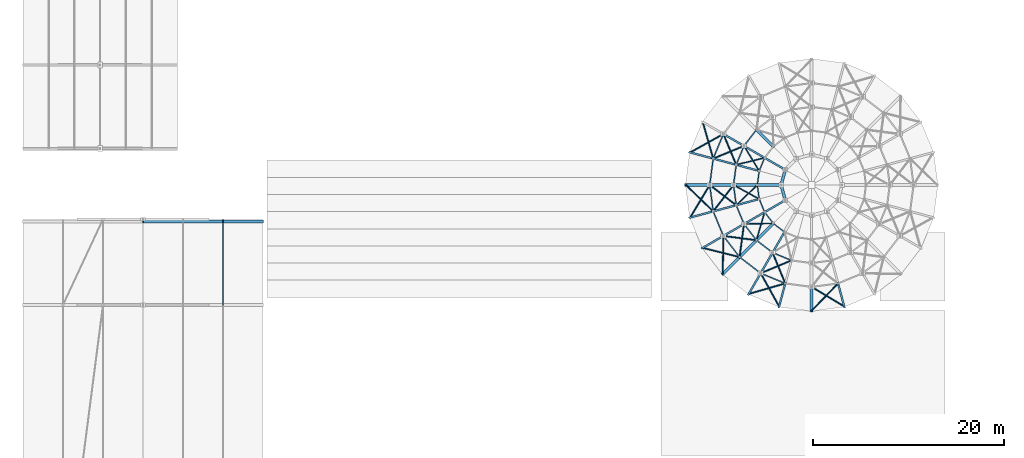
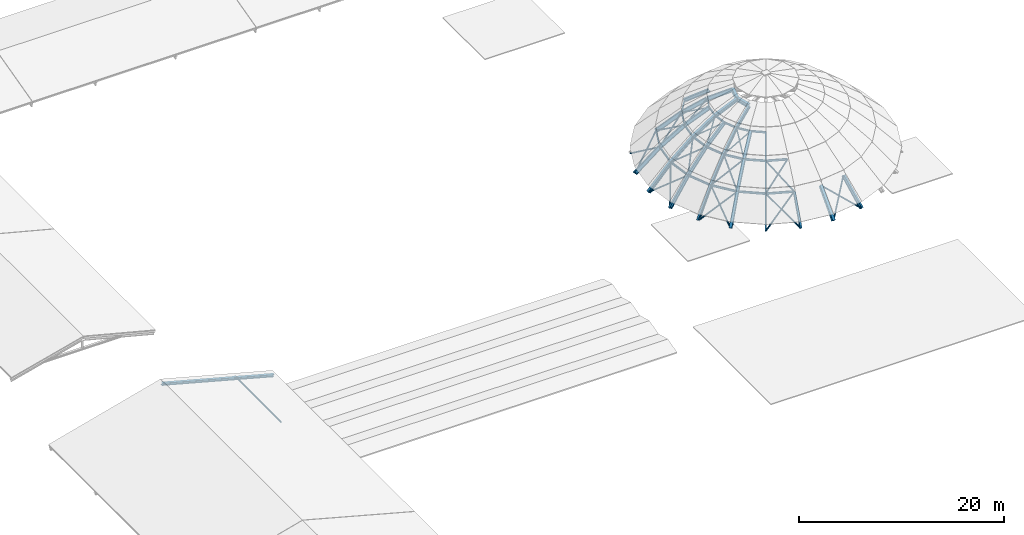
# One storey, part 7 of 31: 74 members, 2 beams.
"""IFC4 building model written with IfcOpenShell, lengths in metres."""

from ifc_helpers import new_model, si_unit, direction, frame, origin, origin_2d, place, context, subcontext, project, spatial, hollow_circle, i_section, extrude, material, material_profile, profile_set, type_object, element, save


model = new_model("IFC4")

# Units and contexts
model_context = context("Model", 3, precision=1e-05, world=origin(), true_north=direction((0.0, 1.0)))
body_context = subcontext(model_context, "Body", "Model", "MODEL_VIEW")
ifc_project = project(units=[si_unit("LENGTHUNIT", "METRE"), si_unit("AREAUNIT", "SQUARE_METRE"), si_unit("VOLUMEUNIT", "CUBIC_METRE"), si_unit("PLANEANGLEUNIT", "RADIAN"), si_unit("MASSUNIT", "GRAM", prefix="KILO")], contexts=[model_context])

# Site, building, storey
site_placement = place(None, origin())
site = spatial("IfcSite", under=ifc_project, at=site_placement, CompositionType="ELEMENT")
building_placement = place(site_placement, origin())
building = spatial("IfcBuilding", under=site, at=building_placement, Name="Clarverna Civic Hall", CompositionType="ELEMENT")
storey_placement = place(building_placement, frame((0.0, 0.0, 31.199951171875)))
storey = spatial("IfcBuildingStorey", under=building, at=storey_placement, Name="RF", CompositionType="ELEMENT", Elevation=31.199951171875)

# Members
ifc_material = material(Name="Steel S355", Category="steel")
ifc_material_profile_1 = material_profile(ifc_material, i_section(OverallWidth=0.300048828125, OverallDepth=0.360107421875, WebThickness=0.012451171875, FlangeThickness=0.0224609375, FilletRadius=0.027099609375, at=origin_2d()), Name="HEB 360")
ifc_profile_set_1 = profile_set([ifc_material_profile_1], Name="Steel S355")
member_type_1 = type_object("IfcMemberType", Name="DR-01", PredefinedType="RAFTER", material=ifc_profile_set_1)
member_1_placement = place(storey_placement, frame((69.60009765625, 59.0, -10.800048828125), z_axis=(0.679381571114, 0.0, 0.733785173488), x_axis=(0.0, 1.0, 0.0)))
element("IfcMember", 1, at=member_1_placement, inside=storey, type_object=member_type_1, Name="DR-01-005", PredefinedType="RAFTER", context=body_context, shape_type="SweptSolid", body=[
    extrude(i_section(OverallWidth=0.300048828125, OverallDepth=0.360107421875, WebThickness=0.012451171875, FlangeThickness=0.0224609375, FilletRadius=0.027099609375, at=origin_2d()), origin(), (0.0, 0.0, 1.0), 3.679931640625),
])
member_2_placement = place(storey_placement, frame((73.46630859375, 49.666259765625, -10.800048828125), z_axis=(0.480352373499, 0.480418720512, 0.733797962831), x_axis=(-0.707155609469, 0.707057949532, 0.0)))
element("IfcMember", 2, at=member_2_placement, inside=storey, type_object=member_type_1, Name="DR-01-006", PredefinedType="RAFTER", context=body_context, shape_type="SweptSolid", body=[
    extrude(i_section(OverallWidth=0.300048828125, OverallDepth=0.360107421875, WebThickness=0.012451171875, FlangeThickness=0.0224609375, FilletRadius=0.027099609375, at=origin_2d()), origin(), (0.0, 0.0, 1.0), 3.6796875),
])
member_3_placement = place(storey_placement, frame((82.800048828125, 45.800048828125, -10.800048828125), z_axis=(0.0, 0.679381571114, 0.733785173488), x_axis=(-1.0, 0.0, 0.0)))
element("IfcMember", 3, at=member_3_placement, inside=storey, type_object=member_type_1, Name="DR-01-007", PredefinedType="RAFTER", context=body_context, shape_type="SweptSolid", body=[
    extrude(i_section(OverallWidth=0.300048828125, OverallDepth=0.360107421875, WebThickness=0.012451171875, FlangeThickness=0.0224609375, FilletRadius=0.027099609375, at=origin_2d()), origin(), (0.0, 0.0, 1.0), 3.679931640625),
])
member_4_placement = place(storey_placement, frame((72.10009765625, 59.0, -8.099853515625), z_axis=(0.758199837863, 0.0, 0.652022243381), x_axis=(0.0, 1.0, 0.0)))
element("IfcMember", 4, at=member_4_placement, inside=storey, type_object=member_type_1, Name="DR-01-013", PredefinedType="RAFTER", context=body_context, shape_type="SweptSolid", body=[
    extrude(i_section(OverallWidth=0.300048828125, OverallDepth=0.360107421875, WebThickness=0.012451171875, FlangeThickness=0.0224609375, FilletRadius=0.027099609375, at=origin_2d()), origin(), (0.0, 0.0, 1.0), 3.29736328125),
])
member_5_placement = place(storey_placement, frame((75.23388671875, 51.43408203125, -8.099853515625), z_axis=(0.536156660761, 0.5360826162, 0.65203639755), x_axis=(-0.707057949532, 0.707155609469, 0.0)))
element("IfcMember", 5, at=member_5_placement, inside=storey, type_object=member_type_1, Name="DR-01-014", PredefinedType="RAFTER", context=body_context, shape_type="SweptSolid", body=[
    extrude(i_section(OverallWidth=0.300048828125, OverallDepth=0.360107421875, WebThickness=0.012451171875, FlangeThickness=0.0224609375, FilletRadius=0.027099609375, at=origin_2d()), origin(), (0.0, 0.0, 1.0), 3.297119140625),
])
for number, where, z_axis, x_axis, name in (
    (6, (77.001708984375, 64.79833984375, -5.949951171875), (0.590174171833, -0.590174171833, 0.550807492508), (0.707106781187, 0.707106781187, 0.0), "DR-01-020"),
    (7, (74.60009765625, 59.0, -5.949951171875), (0.834624394871, 0.0, 0.550819498099), (0.0, 1.0, 0.0), "DR-01-021"),
    (8, (77.001708984375, 53.20166015625, -5.949951171875), (0.590174171833, 0.590174171833, 0.550807492508), (-0.707106781187, 0.707106781187, 0.0), "DR-01-022"),
):
    element("IfcMember", number, at=place(storey_placement, frame(where, z_axis=z_axis, x_axis=x_axis)), inside=storey, type_object=member_type_1, Name=name, PredefinedType="RAFTER", context=body_context, shape_type="SweptSolid", body=[
        extrude(i_section(OverallWidth=0.300048828125, OverallDepth=0.360107421875, WebThickness=0.012451171875, FlangeThickness=0.0224609375, FilletRadius=0.027099609375, at=origin_2d()), origin(), (0.0, 0.0, 1.0), 2.995361328125),
    ])
member_6_placement = place(storey_placement, frame((77.10009765625, 59.0, -4.300048828125), z_axis=(0.915301851847, 0.0, 0.402768568791), x_axis=(0.0, 1.0, 0.0)))
element("IfcMember", 9, at=member_6_placement, inside=storey, type_object=member_type_1, Name="DR-01-028", PredefinedType="RAFTER", context=body_context, shape_type="SweptSolid", body=[
    extrude(i_section(OverallWidth=0.300048828125, OverallDepth=0.360107421875, WebThickness=0.012451171875, FlangeThickness=0.0224609375, FilletRadius=0.027099609375, at=origin_2d()), origin(), (0.0, 0.0, 1.0), 2.7314453125),
])
ifc_material_profile_2 = material_profile(ifc_material, i_section(OverallWidth=0.18994140625, OverallDepth=0.449951171875, WebThickness=0.009521484375, FlangeThickness=0.0146484375, FilletRadius=0.02099609375, at=origin_2d()), Name="IPE 450")
ifc_profile_set_2 = profile_set([ifc_material_profile_2], Name="Steel S355")
member_type_2 = type_object("IfcMemberType", Name="DR-02", PredefinedType="RAFTER", material=ifc_profile_set_2)
for number, where, z_axis, x_axis, name in (
    (10, (70.0498046875, 62.41650390625, -10.800048828125), (0.656223860205, -0.175882059792, 0.733781811128), (0.258884148626, 0.965908379501, 0.0), "DR-02-008"),
    (11, (70.0498046875, 55.58349609375, -10.800048828125), (0.656223860205, 0.175882059792, 0.733781811128), (-0.258884148626, 0.965908379501, 0.0), "DR-02-009"),
):
    element("IfcMember", number, at=place(storey_placement, frame(where, z_axis=z_axis, x_axis=x_axis)), inside=storey, type_object=member_type_2, Name=name, PredefinedType="RAFTER", context=body_context, shape_type="SweptSolid", body=[
        extrude(i_section(OverallWidth=0.18994140625, OverallDepth=0.449951171875, WebThickness=0.009521484375, FlangeThickness=0.0146484375, FilletRadius=0.02099609375, at=origin_2d()), origin(), (0.0, 0.0, 1.0), 3.679931640625),
    ])
for number, where, z_axis, x_axis, name in (
    (12, (71.368408203125, 52.39990234375, -10.800048828125), (0.588357355682, 0.339692113339, 0.733788041705), (-0.500004234368, 0.866022959057, 0.0), "DR-02-010"),
    (13, (76.199951171875, 47.568603515625, -10.800048828125), (0.339705373326, 0.588313973688, 0.733816685349), (-0.865998541277, 0.500046524342, 0.0), "DR-02-011"),
    (14, (79.383544921875, 46.249755859375, -10.800048828125), (0.175817765481, 0.656231516366, 0.733790372157), (-0.965932795341, 0.258793034845, 0.0), "DR-02-012"),
    (15, (86.21630859375, 46.249755859375, -10.800048828125), (-0.175817765481, 0.656231516366, 0.733790372157), (-0.965932795341, -0.258793034845, 0.0), "DR-02-013"),
):
    element("IfcMember", number, at=place(storey_placement, frame(where, z_axis=z_axis, x_axis=x_axis)), inside=storey, type_object=member_type_2, Name=name, PredefinedType="RAFTER", context=body_context, shape_type="SweptSolid", body=[
        extrude(i_section(OverallWidth=0.18994140625, OverallDepth=0.449951171875, WebThickness=0.009521484375, FlangeThickness=0.0146484375, FilletRadius=0.02099609375, at=origin_2d()), origin(), (0.0, 0.0, 1.0), 3.6796875),
    ])
for number, where, z_axis, x_axis, name in (
    (16, (73.533447265625, 64.35009765625, -8.099853515625), (0.656616103097, -0.37910176453, 0.652025417667), (0.500004234368, 0.866022959057, 0.0), "DR-02-023"),
    (17, (72.464599609375, 61.769287109375, -8.099853515625), (0.732365309611, -0.196215556614, 0.652027996808), (0.258793034845, 0.965932795341, 0.0), "DR-02-024"),
    (18, (72.464599609375, 56.230712890625, -8.099853515625), (0.732365309611, 0.196215556614, 0.652027996808), (-0.258793034845, 0.965932795341, 0.0), "DR-02-025"),
    (19, (73.533447265625, 53.64990234375, -8.099853515625), (0.656616103097, 0.37910176453, 0.652025417667), (-0.500004234368, 0.866022959057, 0.0), "DR-02-026"),
    (20, (77.449951171875, 49.7333984375, -8.099853515625), (0.379083333654, 0.656658219956, 0.651993717999), (-0.866047370643, 0.499961950354, 0.0), "DR-02-027"),
):
    element("IfcMember", number, at=place(storey_placement, frame(where, z_axis=z_axis, x_axis=x_axis)), inside=storey, type_object=member_type_2, Name=name, PredefinedType="RAFTER", context=body_context, shape_type="SweptSolid", body=[
        extrude(i_section(OverallWidth=0.18994140625, OverallDepth=0.449951171875, WebThickness=0.009521484375, FlangeThickness=0.0146484375, FilletRadius=0.02099609375, at=origin_2d()), origin(), (0.0, 0.0, 1.0), 3.29736328125),
    ])
member_7_placement = place(storey_placement, frame((75.698486328125, 63.10009765625, -5.949951171875), z_axis=(0.722840951658, -0.417290074697, 0.550790297813), x_axis=(0.499961950354, 0.866047370643, 0.0)))
element("IfcMember", 21, at=member_7_placement, inside=storey, type_object=member_type_2, Name="DR-02-039", PredefinedType="RAFTER", context=body_context, shape_type="SweptSolid", body=[
    extrude(i_section(OverallWidth=0.18994140625, OverallDepth=0.449951171875, WebThickness=0.009521484375, FlangeThickness=0.0146484375, FilletRadius=0.02099609375, at=origin_2d()), origin(), (0.0, 0.0, 1.0), 2.99560546875),
])
for number, where, z_axis, x_axis, name in (
    (22, (74.87939453125, 61.122314453125, -5.949951171875), (0.806187320247, -0.215993974184, 0.550825387749), (0.258793034845, 0.965932795341, 0.0), "DR-02-040"),
    (23, (74.87939453125, 56.877685546875, -5.949951171875), (0.806187320247, 0.215993974184, 0.550825387749), (-0.258793034845, 0.965932795341, 0.0), "DR-02-041"),
):
    element("IfcMember", number, at=place(storey_placement, frame(where, z_axis=z_axis, x_axis=x_axis)), inside=storey, type_object=member_type_2, Name=name, PredefinedType="RAFTER", context=body_context, shape_type="SweptSolid", body=[
        extrude(i_section(OverallWidth=0.18994140625, OverallDepth=0.449951171875, WebThickness=0.009521484375, FlangeThickness=0.0146484375, FilletRadius=0.02099609375, at=origin_2d()), origin(), (0.0, 0.0, 1.0), 2.995361328125),
    ])
member_8_placement = place(storey_placement, frame((75.698486328125, 54.89990234375, -5.949951171875), z_axis=(0.722840951658, 0.417290074697, 0.550790297813), x_axis=(-0.499961950354, 0.866047370643, 0.0)))
element("IfcMember", 24, at=member_8_placement, inside=storey, type_object=member_type_2, Name="DR-02-042", PredefinedType="RAFTER", context=body_context, shape_type="SweptSolid", body=[
    extrude(i_section(OverallWidth=0.18994140625, OverallDepth=0.449951171875, WebThickness=0.009521484375, FlangeThickness=0.0146484375, FilletRadius=0.02099609375, at=origin_2d()), origin(), (0.0, 0.0, 1.0), 2.99560546875),
])
member_9_placement = place(storey_placement, frame((78.699951171875, 51.898681640625, -5.949951171875), z_axis=(0.417314659277, 0.722802030951, 0.550822747538), x_axis=(-0.866022959057, 0.500004234368, 0.0)))
element("IfcMember", 25, at=member_9_placement, inside=storey, type_object=member_type_2, Name="DR-02-043", PredefinedType="RAFTER", context=body_context, shape_type="SweptSolid", body=[
    extrude(i_section(OverallWidth=0.18994140625, OverallDepth=0.449951171875, WebThickness=0.009521484375, FlangeThickness=0.0146484375, FilletRadius=0.02099609375, at=origin_2d()), origin(), (0.0, 0.0, 1.0), 2.995361328125),
])
for number, where, z_axis, x_axis, name in (
    (26, (77.86376953125, 61.85009765625, -4.300048828125), (0.792671329176, -0.457654172911, 0.402771426394), (0.500004234368, 0.866022959057, 0.0), "DR-02-051"),
    (27, (77.86376953125, 56.14990234375, -4.300048828125), (0.792671329176, 0.457654172911, 0.402771426394), (-0.500004234368, 0.866022959057, 0.0), "DR-02-052"),
):
    element("IfcMember", number, at=place(storey_placement, frame(where, z_axis=z_axis, x_axis=x_axis)), inside=storey, type_object=member_type_2, Name=name, PredefinedType="RAFTER", context=body_context, shape_type="SweptSolid", body=[
        extrude(i_section(OverallWidth=0.18994140625, OverallDepth=0.449951171875, WebThickness=0.009521484375, FlangeThickness=0.0146484375, FilletRadius=0.02099609375, at=origin_2d()), origin(), (0.0, 0.0, 1.0), 2.731201171875),
    ])
ifc_material_profile_3 = material_profile(ifc_material, hollow_circle(Radius=0.084228515625, WallThickness=0.010009765625, at=origin_2d()), Name="CHS 168.3x10.0")
ifc_profile_set_3 = profile_set([ifc_material_profile_3], Name="Steel S355")
member_type_3 = type_object("IfcMemberType", Name="LBD-1", PredefinedType="BRACE", material=ifc_profile_set_3)
member_10_placement = place(storey_placement, frame((71.368408203125, 65.60009765625, -10.800048828125), z_axis=(0.227742454772, -0.795881260095, 0.560986982133), x_axis=(0.961412886634, 0.275109544388, 0.0)))
element("IfcMember", 28, at=member_10_placement, inside=storey, type_object=member_type_3, Name="LBD-1-011", PredefinedType="BRACE", context=body_context, shape_type="SweptSolid", body=[
    extrude(hollow_circle(Radius=0.084228515625, WallThickness=0.010009765625, at=origin_2d()), origin(), (0.0, 0.0, 1.0), 4.813232421875),
])
for number, where, z_axis, x_axis, name in (
    (29, (70.0498046875, 62.41650390625, -10.800048828125), (0.723788644787, 0.401738458667, 0.561013554653), (-0.485304721523, 0.874345084774, 0.0), "LBD-1-012"),
    (30, (69.60009765625, 59.0, -10.800048828125), (0.595154105854, -0.575371432942, 0.56101631388), (0.695056940101, 0.718954692604, 0.0), "LBD-1-013"),
):
    element("IfcMember", number, at=place(storey_placement, frame(where, z_axis=z_axis, x_axis=x_axis)), inside=storey, type_object=member_type_3, Name=name, PredefinedType="BRACE", context=body_context, shape_type="SweptSolid", body=[
        extrude(hollow_circle(Radius=0.084228515625, WallThickness=0.010009765625, at=origin_2d()), origin(), (0.0, 0.0, 1.0), 4.81298828125),
    ])
member_11_placement = place(storey_placement, frame((70.0498046875, 55.58349609375, -10.800048828125), z_axis=(0.425969626954, 0.7098141176, 0.560993578723), x_axis=(-0.85744967139, 0.514567839098, 0.0)))
element("IfcMember", 31, at=member_11_placement, inside=storey, type_object=member_type_3, Name="LBD-1-014", PredefinedType="BRACE", context=body_context, shape_type="SweptSolid", body=[
    extrude(hollow_circle(Radius=0.084228515625, WallThickness=0.010009765625, at=origin_2d()), origin(), (0.0, 0.0, 1.0), 4.813232421875),
])
for number, where, z_axis, x_axis, name in (
    (32, (71.368408203125, 52.39990234375, -10.800048828125), (0.803118679732, -0.200665540139, 0.56101134326), (0.242405862993, 0.970174931436, 0.0), "LBD-1-015"),
    (33, (73.46630859375, 49.666259765625, -10.800048828125), (0.013949443108, 0.827683866128, 0.56102123916), (-0.999858008529, 0.016851195216, 0.0), "LBD-1-016"),
    (34, (76.199951171875, 47.568603515625, -10.800048828125), (0.795871858952, 0.227703554802, 0.561016109625), (-0.275069112792, 0.961424455268, 0.0), "LBD-1-017"),
    (35, (79.383544921875, 46.249755859375, -10.800048828125), (-0.401738458667, 0.723788644787, 0.561013554653), (-0.874345084774, -0.485304721523, 0.0), "LBD-1-018"),
    (36, (82.800048828125, 45.800048828125, -10.800048828125), (0.575371432942, 0.595154105854, 0.56101631388), (-0.718954692604, 0.695056940101, 0.0), "LBD-1-019"),
    (37, (86.21630859375, 46.249755859375, -10.800048828125), (-0.709788949444, 0.425984963727, 0.561013776949), (-0.514594874744, -0.857433446331, 0.0), "LBD-1-020"),
):
    element("IfcMember", number, at=place(storey_placement, frame(where, z_axis=z_axis, x_axis=x_axis)), inside=storey, type_object=member_type_3, Name=name, PredefinedType="BRACE", context=body_context, shape_type="SweptSolid", body=[
        extrude(hollow_circle(Radius=0.084228515625, WallThickness=0.010009765625, at=origin_2d()), origin(), (0.0, 0.0, 1.0), 4.81298828125),
    ])
member_12_placement = place(storey_placement, frame((73.533447265625, 64.35009765625, -8.099853515625), z_axis=(0.327868161675, -0.786276975422, 0.523708875695), x_axis=(0.922971552297, 0.384868176977, 0.0)))
element("IfcMember", 38, at=member_12_placement, inside=storey, type_object=member_type_3, Name="LBD-1-035", PredefinedType="BRACE", context=body_context, shape_type="SweptSolid", body=[
    extrude(hollow_circle(Radius=0.084228515625, WallThickness=0.010009765625, at=origin_2d()), origin(), (0.0, 0.0, 1.0), 4.105224609375),
])
for number, where, z_axis, x_axis, name in (
    (39, (72.464599609375, 61.769287109375, -8.099853515625), (0.787788977933, 0.324191281799, 0.523725633374), (-0.38055667214, 0.924757600288, 0.0), "LBD-1-036"),
    (40, (72.10009765625, 59.0, -8.099853515625), (0.677056338042, -0.517010782378, 0.52373138728), (0.606903179873, 0.794775773574, 0.0), "LBD-1-037"),
    (41, (72.464599609375, 56.230712890625, -8.099853515625), (0.520213241707, 0.674606013568, 0.52372216834), (-0.791894143901, 0.610658386379, 0.0), "LBD-1-038"),
    (42, (73.533447265625, 53.64990234375, -8.099853515625), (0.844866699023, -0.109191557047, 0.52371506065), (0.128175126414, 0.991751550021, 0.0), "LBD-1-039"),
):
    element("IfcMember", number, at=place(storey_placement, frame(where, z_axis=z_axis, x_axis=x_axis)), inside=storey, type_object=member_type_3, Name=name, PredefinedType="BRACE", context=body_context, shape_type="SweptSolid", body=[
        extrude(hollow_circle(Radius=0.084228515625, WallThickness=0.010009765625, at=origin_2d()), origin(), (0.0, 0.0, 1.0), 4.10498046875),
    ])
member_13_placement = place(storey_placement, frame((75.23388671875, 51.43408203125, -8.099853515625), z_axis=(0.113182923322, 0.844322007083, 0.523746097096), x_axis=(-0.991134359988, 0.132863390184, 0.0)))
element("IfcMember", 43, at=member_13_placement, inside=storey, type_object=member_type_3, Name="LBD-1-040", PredefinedType="BRACE", context=body_context, shape_type="SweptSolid", body=[
    extrude(hollow_circle(Radius=0.084228515625, WallThickness=0.010009765625, at=origin_2d()), origin(), (0.0, 0.0, 1.0), 4.104736328125),
])
for number, where, z_axis, x_axis, name in (
    (44, (77.449951171875, 49.7333984375, -8.099853515625), (0.786276975422, 0.327868161675, 0.523708875695), (-0.384868176977, 0.922971552297, 0.0), "LBD-1-041"),
    (45, (80.030517578125, 48.66455078125, -8.099853515625), (-0.324122870372, 0.787826727306, 0.523711192017), (-0.92479227501, -0.380472401208, 0.0), "LBD-1-042"),
):
    element("IfcMember", number, at=place(storey_placement, frame(where, z_axis=z_axis, x_axis=x_axis)), inside=storey, type_object=member_type_3, Name=name, PredefinedType="BRACE", context=body_context, shape_type="SweptSolid", body=[
        extrude(hollow_circle(Radius=0.084228515625, WallThickness=0.010009765625, at=origin_2d()), origin(), (0.0, 0.0, 1.0), 4.105224609375),
    ])
ifc_material_profile_4 = material_profile(ifc_material, hollow_circle(Radius=0.06982421875, WallThickness=0.008056640625, at=origin_2d()), Name="CHS 139.7x8.0")
ifc_profile_set_4 = profile_set([ifc_material_profile_4], Name="Steel S355")
member_type_4 = type_object("IfcMemberType", Name="LBD-2", PredefinedType="BRACE", material=ifc_profile_set_4)
for number, where, z_axis, x_axis, name in (
    (46, (75.698486328125, 63.10009765625, -5.949951171875), (0.457640851699, -0.752768787732, 0.473184956515), (0.854483895239, 0.519477884781, 0.0), "LBD-2-011"),
    (47, (74.87939453125, 61.122314453125, -5.949951171875), (0.855886638161, 0.208720391718, 0.473174239258), (-0.236921417149, 0.971528816915, 0.0), "LBD-2-012"),
):
    element("IfcMember", number, at=place(storey_placement, frame(where, z_axis=z_axis, x_axis=x_axis)), inside=storey, type_object=member_type_4, Name=name, PredefinedType="BRACE", context=body_context, shape_type="SweptSolid", body=[
        extrude(hollow_circle(Radius=0.06982421875, WallThickness=0.008056640625, at=origin_2d()), origin(), (0.0, 0.0, 1.0), 3.48681640625),
    ])
member_14_placement = place(storey_placement, frame((74.60009765625, 59.0, -5.949951171875), z_axis=(0.772680978746, -0.423136488859, 0.473201454859), x_axis=(0.480316078725, 0.877095470583, 0.0)))
element("IfcMember", 48, at=member_14_placement, inside=storey, type_object=member_type_4, Name="LBD-2-013", PredefinedType="BRACE", context=body_context, shape_type="SweptSolid", body=[
    extrude(hollow_circle(Radius=0.06982421875, WallThickness=0.008056640625, at=origin_2d()), origin(), (0.0, 0.0, 1.0), 3.486572265625),
])
for number, where, z_axis, x_axis, name in (
    (49, (74.87939453125, 56.877685546875, -5.949951171875), (0.636884801858, 0.608667500281, 0.473182441838), (-0.690910393225, 0.722940404552, 0.0), "LBD-2-014"),
    (50, (75.698486328125, 54.89990234375, -5.949951171875), (0.880742792467, 0.019954821198, 0.473174321607), (-0.022650995984, 0.999743433277, 0.0), "LBD-2-015"),
    (51, (77.001708984375, 53.20166015625, -5.949951171875), (0.24723865845, 0.845554811509, 0.473191405778), (-0.959811062556, 0.28064697432, 0.0), "LBD-2-016"),
):
    element("IfcMember", number, at=place(storey_placement, frame(where, z_axis=z_axis, x_axis=x_axis)), inside=storey, type_object=member_type_4, Name=name, PredefinedType="BRACE", context=body_context, shape_type="SweptSolid", body=[
        extrude(hollow_circle(Radius=0.06982421875, WallThickness=0.008056640625, at=origin_2d()), origin(), (0.0, 0.0, 1.0), 3.48681640625),
    ])
ifc_material_profile_5 = material_profile(ifc_material, i_section(OverallWidth=0.1201171875, OverallDepth=0.239990234375, WebThickness=0.006103515625, FlangeThickness=0.009765625, FilletRadius=0.014892578125, at=origin_2d()), Name="IPE 240")
ifc_profile_set_5 = profile_set([ifc_material_profile_5], Name="Steel S355")
member_type_5 = type_object("IfcMemberType", Name="PU-DR1", PredefinedType="PURLIN", material=ifc_profile_set_5)
member_15_placement = place(storey_placement, frame((73.533447265625, 64.35009765625, -8.099853515625), z_axis=(-0.382634824807, -0.923899664923, 0.0), x_axis=(0.923899664923, -0.382634824807, 0.0)))
element("IfcMember", 52, at=member_15_placement, inside=storey, type_object=member_type_5, Name="PU-DR1-011", PredefinedType="PURLIN", context=body_context, shape_type="SweptSolid", body=[
    extrude(i_section(OverallWidth=0.1201171875, OverallDepth=0.239990234375, WebThickness=0.006103515625, FlangeThickness=0.009765625, FilletRadius=0.014892578125, at=origin_2d()), origin(), (0.0, 0.0, 1.0), 2.79345703125),
])
for number, where, z_axis, x_axis, name in (
    (53, (72.464599609375, 61.769287109375, -8.099853515625), (-0.130497471798, -0.991448642066, 0.0), (0.991448642066, -0.130497471798, 0.0), "PU-DR1-012"),
    (54, (72.10009765625, 59.0, -8.099853515625), (0.130497471798, -0.991448642066, 0.0), (0.991448642066, 0.130497471798, 0.0), "PU-DR1-013"),
):
    element("IfcMember", number, at=place(storey_placement, frame(where, z_axis=z_axis, x_axis=x_axis)), inside=storey, type_object=member_type_5, Name=name, PredefinedType="PURLIN", context=body_context, shape_type="SweptSolid", body=[
        extrude(i_section(OverallWidth=0.1201171875, OverallDepth=0.239990234375, WebThickness=0.006103515625, FlangeThickness=0.009765625, FilletRadius=0.014892578125, at=origin_2d()), origin(), (0.0, 0.0, 1.0), 2.793212890625),
    ])
member_16_placement = place(storey_placement, frame((72.464599609375, 56.230712890625, -8.099853515625), z_axis=(0.382634824807, -0.923899664923, 0.0), x_axis=(0.923899664923, 0.382634824807, 0.0)))
element("IfcMember", 55, at=member_16_placement, inside=storey, type_object=member_type_5, Name="PU-DR1-014", PredefinedType="PURLIN", context=body_context, shape_type="SweptSolid", body=[
    extrude(i_section(OverallWidth=0.1201171875, OverallDepth=0.239990234375, WebThickness=0.006103515625, FlangeThickness=0.009765625, FilletRadius=0.014892578125, at=origin_2d()), origin(), (0.0, 0.0, 1.0), 2.79345703125),
])
member_17_placement = place(storey_placement, frame((73.533447265625, 53.64990234375, -8.099853515625), z_axis=(0.608802154131, -0.793322089145, 0.0), x_axis=(0.793322089145, 0.608802154131, 0.0)))
element("IfcMember", 56, at=member_17_placement, inside=storey, type_object=member_type_5, Name="PU-DR1-015", PredefinedType="PURLIN", context=body_context, shape_type="SweptSolid", body=[
    extrude(i_section(OverallWidth=0.1201171875, OverallDepth=0.239990234375, WebThickness=0.006103515625, FlangeThickness=0.009765625, FilletRadius=0.014892578125, at=origin_2d()), origin(), (0.0, 0.0, 1.0), 2.79296875),
])
member_18_placement = place(storey_placement, frame((75.23388671875, 51.43408203125, -8.099853515625), z_axis=(0.793312271081, -0.608814947708, 0.0), x_axis=(0.608814947708, 0.793312271081, 0.0)))
element("IfcMember", 57, at=member_18_placement, inside=storey, type_object=member_type_5, Name="PU-DR1-016", PredefinedType="PURLIN", context=body_context, shape_type="SweptSolid", body=[
    extrude(i_section(OverallWidth=0.1201171875, OverallDepth=0.239990234375, WebThickness=0.006103515625, FlangeThickness=0.009765625, FilletRadius=0.014892578125, at=origin_2d()), origin(), (0.0, 0.0, 1.0), 2.79345703125),
])
member_19_placement = place(storey_placement, frame((77.449951171875, 49.7333984375, -8.099853515625), z_axis=(0.92388686727, -0.382665724211, 0.0), x_axis=(0.382665724211, 0.92388686727, 0.0)))
element("IfcMember", 58, at=member_19_placement, inside=storey, type_object=member_type_5, Name="PU-DR1-017", PredefinedType="PURLIN", context=body_context, shape_type="SweptSolid", body=[
    extrude(i_section(OverallWidth=0.1201171875, OverallDepth=0.239990234375, WebThickness=0.006103515625, FlangeThickness=0.009765625, FilletRadius=0.014892578125, at=origin_2d()), origin(), (0.0, 0.0, 1.0), 2.793212890625),
])
for number, where, z_axis, x_axis, name in (
    (59, (77.001708984375, 64.79833984375, -5.949951171875), (-0.608795416016, -0.793327259987, 0.0), (0.793327259987, -0.608795416016, 0.0), "PU-DR1-034"),
    (60, (75.698486328125, 63.10009765625, -5.949951171875), (-0.382630468864, -0.923901468933, 0.0), (0.923901468933, -0.382630468864, 0.0), "PU-DR1-035"),
    (61, (74.87939453125, 61.122314453125, -5.949951171875), (-0.130475164522, -0.991451577962, 0.0), (0.991451577962, -0.130475164522, 0.0), "PU-DR1-036"),
    (62, (74.60009765625, 59.0, -5.949951171875), (0.130475164522, -0.991451577962, 0.0), (0.991451577962, 0.130475164522, 0.0), "PU-DR1-037"),
    (63, (74.87939453125, 56.877685546875, -5.949951171875), (0.382630468864, -0.923901468933, 0.0), (0.923901468933, 0.382630468864, 0.0), "PU-DR1-038"),
    (64, (75.698486328125, 54.89990234375, -5.949951171875), (0.608795416016, -0.793327259987, 0.0), (0.793327259987, 0.608795416016, 0.0), "PU-DR1-039"),
    (65, (77.001708984375, 53.20166015625, -5.949951171875), (0.793382343433, -0.608723629514, 0.0), (0.608723629514, 0.793382343433, 0.0), "PU-DR1-040"),
):
    element("IfcMember", number, at=place(storey_placement, frame(where, z_axis=z_axis, x_axis=x_axis)), inside=storey, type_object=member_type_5, Name=name, PredefinedType="PURLIN", context=body_context, shape_type="SweptSolid", body=[
        extrude(i_section(OverallWidth=0.1201171875, OverallDepth=0.239990234375, WebThickness=0.006103515625, FlangeThickness=0.009765625, FilletRadius=0.014892578125, at=origin_2d()), origin(), (0.0, 0.0, 1.0), 2.140625),
    ])
member_20_placement = place(storey_placement, frame((78.699951171875, 51.898681640625, -5.949951171875), z_axis=(0.923861148191, -0.382727813026, 0.0), x_axis=(0.382727813026, 0.923861148191, 0.0)))
element("IfcMember", 66, at=member_20_placement, inside=storey, type_object=member_type_5, Name="PU-DR1-041", PredefinedType="PURLIN", context=body_context, shape_type="SweptSolid", body=[
    extrude(i_section(OverallWidth=0.1201171875, OverallDepth=0.239990234375, WebThickness=0.006103515625, FlangeThickness=0.009765625, FilletRadius=0.014892578125, at=origin_2d()), origin(), (0.0, 0.0, 1.0), 2.140869140625),
])
ifc_material_profile_6 = material_profile(ifc_material, i_section(OverallWidth=0.110107421875, OverallDepth=0.219970703125, WebThickness=0.005859375, FlangeThickness=0.00927734375, FilletRadius=0.011962890625, at=origin_2d()), Name="IPE 220")
ifc_profile_set_6 = profile_set([ifc_material_profile_6], Name="Steel S355")
member_type_6 = type_object("IfcMemberType", Name="PU-DR2", PredefinedType="PURLIN", material=ifc_profile_set_6)
for number, where, z_axis, x_axis, name in (
    (67, (77.86376953125, 61.85009765625, -4.300048828125), (-0.382762332482, -0.923846847066, 0.0), (0.923846847066, -0.382762332482, 0.0), "PU-DR2-011"),
    (68, (77.294189453125, 60.475341796875, -4.300048828125), (-0.130433292163, -0.991457087471, 0.0), (0.991457087471, -0.130433292163, 0.0), "PU-DR2-012"),
    (69, (77.10009765625, 59.0, -4.300048828125), (0.130433292163, -0.991457087471, 0.0), (0.991457087471, 0.130433292163, 0.0), "PU-DR2-013"),
    (70, (77.294189453125, 57.524658203125, -4.300048828125), (0.382762332482, -0.923846847066, 0.0), (0.923846847066, 0.382762332482, 0.0), "PU-DR2-014"),
):
    element("IfcMember", number, at=place(storey_placement, frame(where, z_axis=z_axis, x_axis=x_axis)), inside=storey, type_object=member_type_6, Name=name, PredefinedType="PURLIN", context=body_context, shape_type="SweptSolid", body=[
        extrude(i_section(OverallWidth=0.110107421875, OverallDepth=0.219970703125, WebThickness=0.005859375, FlangeThickness=0.00927734375, FilletRadius=0.011962890625, at=origin_2d()), origin(), (0.0, 0.0, 1.0), 1.488037109375),
    ])
for number, where, z_axis, x_axis, name in (
    (71, (77.86376953125, 56.14990234375, -4.300048828125), (0.608758745152, -0.79335539968, 0.0), (0.79335539968, 0.608758745152, 0.0), "PU-DR2-015"),
    (72, (78.76953125, 54.969482421875, -4.300048828125), (0.79335539968, -0.608758745152, 0.0), (0.608758745152, 0.79335539968, 0.0), "PU-DR2-016"),
):
    element("IfcMember", number, at=place(storey_placement, frame(where, z_axis=z_axis, x_axis=x_axis)), inside=storey, type_object=member_type_6, Name=name, PredefinedType="PURLIN", context=body_context, shape_type="SweptSolid", body=[
        extrude(i_section(OverallWidth=0.110107421875, OverallDepth=0.219970703125, WebThickness=0.005859375, FlangeThickness=0.00927734375, FilletRadius=0.011962890625, at=origin_2d()), origin(), (0.0, 0.0, 1.0), 1.48779296875),
    ])
ifc_material_profile_7 = material_profile(ifc_material, i_section(OverallWidth=0.091064453125, OverallDepth=0.179931640625, WebThickness=0.00537109375, FlangeThickness=0.008056640625, FilletRadius=0.009033203125, at=origin_2d()), Name="IPE 180")
ifc_profile_set_7 = profile_set([ifc_material_profile_7], Name="Steel S355")
member_type_7 = type_object("IfcMemberType", Name="PU-RF2", PredefinedType="PURLIN", material=ifc_profile_set_7)
member_21_placement = place(storey_placement, frame((21.0, 46.39990234375, -13.504638671875), z_axis=(0.0, 1.0, 0.0), x_axis=(-1.0, 0.0, 0.0)))
element("IfcMember", 73, at=member_21_placement, inside=storey, type_object=member_type_7, Name="PU-RF2-016", PredefinedType="PURLIN", context=body_context, shape_type="SweptSolid", body=[
    extrude(i_section(OverallWidth=0.091064453125, OverallDepth=0.179931640625, WebThickness=0.00537109375, FlangeThickness=0.008056640625, FilletRadius=0.009033203125, at=origin_2d()), origin(), (0.0, 0.0, 1.0), 9.0),
])

# Beams
ifc_material_profile_8 = material_profile(ifc_material, i_section(OverallWidth=0.300048828125, OverallDepth=0.449951171875, WebThickness=0.013916015625, FlangeThickness=0.02587890625, FilletRadius=0.027099609375, at=origin_2d()), Name="HEB 450")
ifc_profile_set_8 = profile_set([ifc_material_profile_8], Name="Steel S355")
beam_type = type_object("IfcBeamType", Name="RB-OC1", PredefinedType="BEAM", material=ifc_profile_set_8)
for number, where, z_axis, x_axis, name in (
    (74, (80.02880859375, 60.60009765625, -3.199951171875), (-0.258799930484, -0.965930947833, 0.0), (0.965930947833, -0.258799930484, 0.0), "Dome Oculus Ring Beam RB-OC1-06"),
    (75, (79.60009765625, 59.0, -3.199951171875), (0.258799930484, -0.965930947833, 0.0), (0.965930947833, 0.258799930484, 0.0), "Dome Oculus Ring Beam RB-OC1-07"),
):
    element("IfcBeam", number, at=place(storey_placement, frame(where, z_axis=z_axis, x_axis=x_axis)), inside=storey, type_object=beam_type, Name=name, PredefinedType="BEAM", context=body_context, shape_type="SweptSolid", body=[
        extrude(i_section(OverallWidth=0.300048828125, OverallDepth=0.449951171875, WebThickness=0.013916015625, FlangeThickness=0.02587890625, FilletRadius=0.027099609375, at=origin_2d()), origin(), (0.0, 0.0, 1.0), 1.656494140625),
    ])

# Member
ifc_material_profile_9 = material_profile(ifc_material, i_section(OverallWidth=0.300048828125, OverallDepth=0.2900390625, WebThickness=0.008544921875, FlangeThickness=0.013916015625, FilletRadius=0.027099609375, at=origin_2d()), Name="HEA 300")
ifc_profile_set_9 = profile_set([ifc_material_profile_9], Name="Steel S355")
member_type_8 = type_object("IfcMemberType", Name="RF-03", PredefinedType="RAFTER", material=ifc_profile_set_9)
member_22_placement = place(storey_placement, frame((25.199951171875, 55.159912109375, -14.68994140625), z_axis=(-0.965923907255, 0.0, 0.25882620693), x_axis=(0.0, -1.0, 0.0)))
element("IfcMember", 76, at=member_22_placement, inside=storey, type_object=member_type_8, Name="RF-03-010", PredefinedType="RAFTER", context=body_context, shape_type="SweptSolid", body=[
    extrude(i_section(OverallWidth=0.300048828125, OverallDepth=0.2900390625, WebThickness=0.008544921875, FlangeThickness=0.013916015625, FilletRadius=0.027099609375, at=origin_2d()), origin(), (0.0, 0.0, 1.0), 13.04443359375),
])

save(model, "model.ifc")
